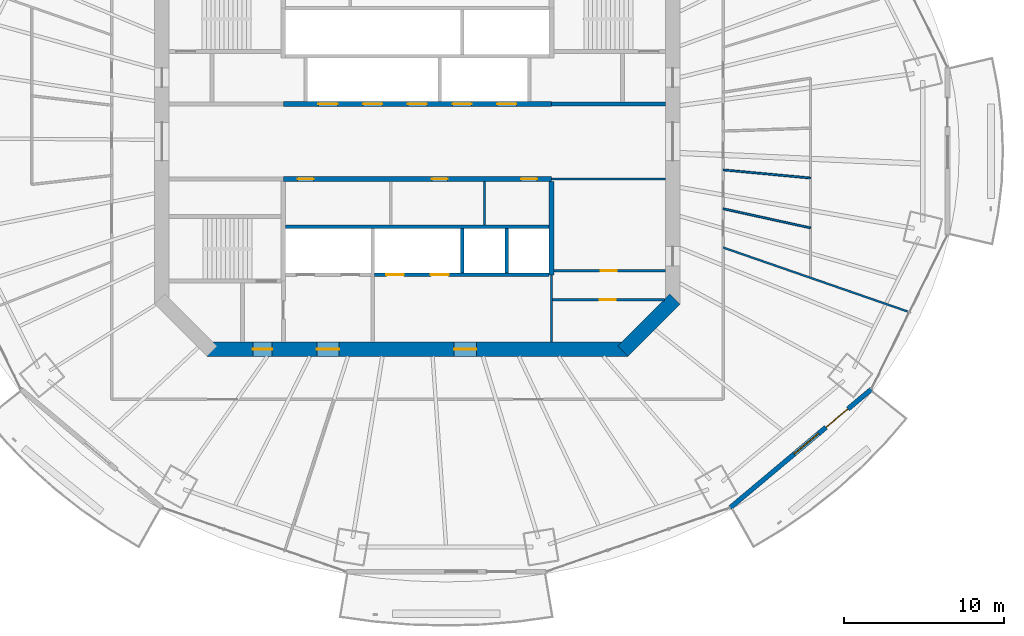
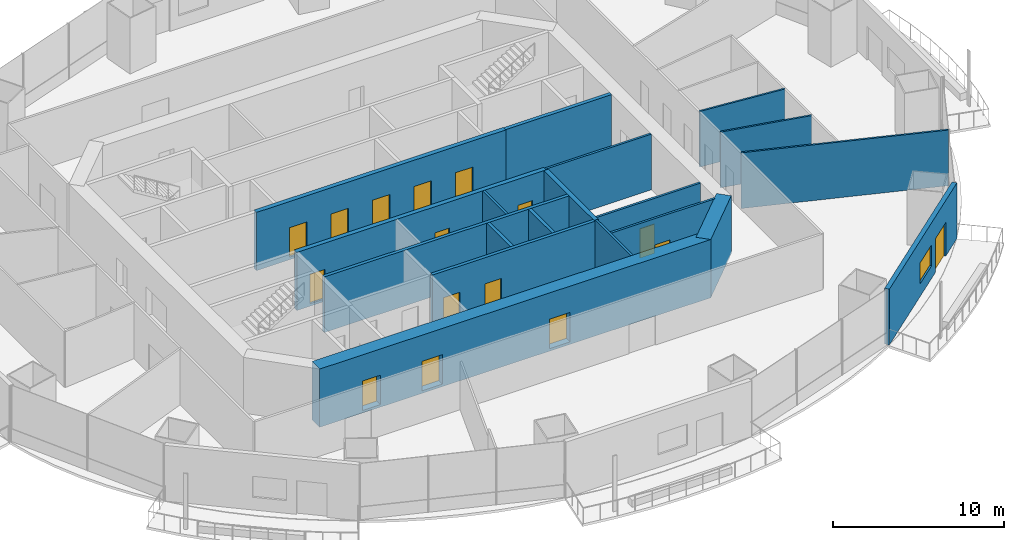
# One storey, part 12 of 20: 19 walls, 16 doors, 1 window, 17 openings.
"""IFC4 building model written with IfcOpenShell, lengths in metres."""

from ifc_helpers import new_model, si_unit, direction, frame, frame_2d, origin, place, context, subcontext, project, spatial, rectangle, extrude, material, layer, layer_set, type_object, element, fill, save


model = new_model("IFC4")

# Units and contexts
model_context = context("Model", 3, precision=1e-05, world=origin(), true_north=direction((0.0, 1.0)))
body_context = subcontext(model_context, "Body", "Model", "MODEL_VIEW")
ifc_project = project(units=[si_unit("LENGTHUNIT", "METRE"), si_unit("AREAUNIT", "SQUARE_METRE"), si_unit("VOLUMEUNIT", "CUBIC_METRE"), si_unit("PLANEANGLEUNIT", "RADIAN"), si_unit("MASSUNIT", "GRAM", prefix="KILO")], contexts=[model_context])

# Site, building, storey
site_placement = place(None, origin())
site = spatial("IfcSite", under=ifc_project, at=site_placement, CompositionType="ELEMENT")
building_placement = place(site_placement, origin())
building = spatial("IfcBuilding", under=site, at=building_placement, Name="Marenthal Gate Tower", CompositionType="ELEMENT")
storey_placement = place(building_placement, frame((0.0, 0.0, 194.25)))
storey = spatial("IfcBuildingStorey", under=building, at=storey_placement, Name="L42", CompositionType="ELEMENT", Elevation=194.25)

# Wall
ifc_material_1 = material(Name="Concrete 60 MPa", Category="concrete")
ifc_layer_1 = layer(ifc_material_1, 0.89990234375)
ifc_layer_set_1 = layer_set([ifc_layer_1], Name="Core shear wall 900")
wall_type_1 = type_object("IfcWallType", Name="Core shear wall 900", PredefinedType="SHEAR", material=ifc_layer_set_1)
wall_1_placement = place(storey_placement, frame((12.8681640625, -13.1318359375, -0.179931640625), z_axis=(0.0, 0.0, 1.0), x_axis=(0.707106781187, 0.707106781187, 0.0)))
element("IfcWall", 1, at=wall_1_placement, inside=storey, type_object=wall_type_1, Name="Core wall 01", PredefinedType="SHEAR", context=body_context, shape_type="SweptSolid", body=[
    extrude(rectangle(XDim=4.615478515625, YDim=0.89990234375, at=frame_2d((2.3076171875, 0.0))), origin(), (0.0, 0.0, 1.0), 4.14990234375),
])

# Wall, openings, doors
wall_2_placement = place(storey_placement, frame((-13.186279296875, -13.0, -0.179931640625), z_axis=(0.0, 0.0, 1.0), x_axis=(1.0, 0.0, 0.0)))
wall_2 = element("IfcWall", 2, at=wall_2_placement, inside=storey, type_object=wall_type_1, Name="Core wall 08", PredefinedType="SHEAR", context=body_context, shape_type="SweptSolid", body=[
    extrude(rectangle(XDim=26.37255859375, YDim=0.89990234375, at=frame_2d((13.186279296875, 0.0))), origin(), (0.0, 0.0, 1.0), 4.14990234375),
])
opening_1_placement = place(wall_2_placement, frame((2.886474609375, 0.0, 0.179931640625)))
opening_1 = element("IfcOpeningElement", 3, at=opening_1_placement, cuts=wall_2, Name="Opening D001.06", PredefinedType="OPENING", context=body_context, shape_type="SweptSolid", body=[
    extrude(rectangle(XDim=1.199951171875, YDim=2.10009765625, at=frame_2d((0.60009765625, 1.050048828125))), frame((0.0, 0.4599609375, 0.0), z_axis=(0.0, -1.0, 0.0), x_axis=(1.0, 0.0, 0.0)), (0.0, 0.0, 1.0), 0.919921875),
])
opening_2_placement = place(wall_2_placement, frame((6.886474609375, 0.0, 0.179931640625)))
opening_2 = element("IfcOpeningElement", 4, at=opening_2_placement, cuts=wall_2, Name="Opening D004.01", PredefinedType="OPENING", context=body_context, shape_type="SweptSolid", body=[
    extrude(rectangle(XDim=1.39990234375, YDim=2.10009765625, at=frame_2d((0.699951171875, 1.050048828125))), frame((0.0, 0.4599609375, 0.0), z_axis=(0.0, -1.0, 0.0), x_axis=(1.0, 0.0, 0.0)), (0.0, 0.0, 1.0), 0.919921875),
])
opening_3_placement = place(wall_2_placement, frame((15.486328125, 0.0, 0.179931640625)))
opening_3 = element("IfcOpeningElement", 5, at=opening_3_placement, cuts=wall_2, Name="Opening D004.02", PredefinedType="OPENING", context=body_context, shape_type="SweptSolid", body=[
    extrude(rectangle(XDim=1.39990234375, YDim=2.10009765625, at=frame_2d((0.699951171875, 1.050048828125))), frame((0.0, 0.4599609375, 0.0), z_axis=(0.0, -1.0, 0.0), x_axis=(1.0, 0.0, 0.0)), (0.0, 0.0, 1.0), 0.919921875),
])
ifc_material_2 = material(Name="Steel fire door", Category="steel")
door_type_1 = type_object("IfcDoorType", Name="Fire door FD 45 1400 x 2100", OperationType="NOTDEFINED", PredefinedType="DOOR", material=ifc_material_2)
door_1_placement = place(opening_2_placement, origin())
door_1 = element("IfcDoor", 6, at=door_1_placement, inside=storey, type_object=door_type_1, Name="Door D004.01", OperationType="SINGLE_SWING_RIGHT", OverallHeight=2.10009765625, OverallWidth=1.39990234375, PredefinedType="DOOR", context=body_context, shape_type="SweptSolid", body=[
    extrude(rectangle(XDim=1.39990234375, YDim=2.10009765625, at=frame_2d((0.699951171875, 1.050048828125))), frame((0.0, 0.02490234375, 0.0), z_axis=(0.0, -1.0, 0.0), x_axis=(1.0, 0.0, 0.0)), (0.0, 0.0, 1.0), 0.050048828125),
])
fill(opening_2, door_1)
door_2_placement = place(opening_3_placement, origin())
door_2 = element("IfcDoor", 7, at=door_2_placement, inside=storey, type_object=door_type_1, Name="Door D004.02", OperationType="SINGLE_SWING_RIGHT", OverallHeight=2.10009765625, OverallWidth=1.39990234375, PredefinedType="DOOR", context=body_context, shape_type="SweptSolid", body=[
    extrude(rectangle(XDim=1.39990234375, YDim=2.10009765625, at=frame_2d((0.699951171875, 1.050048828125))), frame((0.0, 0.02490234375, 0.0), z_axis=(0.0, -1.0, 0.0), x_axis=(1.0, 0.0, 0.0)), (0.0, 0.0, 1.0), 0.050048828125),
])
fill(opening_3, door_2)
ifc_material_3 = material(Name="Steel fire door", Category="steel")
door_type_2 = type_object("IfcDoorType", Name="Fire door FD 90 1200 x 2100", OperationType="NOTDEFINED", PredefinedType="DOOR", material=ifc_material_3)
door_3_placement = place(opening_1_placement, origin())
door_3 = element("IfcDoor", 8, at=door_3_placement, inside=storey, type_object=door_type_2, Name="Door D001.06", OperationType="SINGLE_SWING_RIGHT", OverallHeight=2.10009765625, OverallWidth=1.199951171875, PredefinedType="DOOR", context=body_context, shape_type="SweptSolid", body=[
    extrude(rectangle(XDim=1.199951171875, YDim=2.10009765625, at=frame_2d((0.60009765625, 1.050048828125))), frame((0.0, 0.02490234375, 0.0), z_axis=(0.0, -1.0, 0.0), x_axis=(1.0, 0.0, 0.0)), (0.0, 0.0, 1.0), 0.050048828125),
])
fill(opening_1, door_3)

ifc_material_4 = material(Name="Concrete 50 MPa", Category="concrete")
ifc_layer_2 = layer(ifc_material_4, 0.300048828125)
ifc_layer_set_2 = layer_set([ifc_layer_2], Name="Hoistway shear wall 300")
wall_type_2 = type_object("IfcWallType", Name="Hoistway shear wall 300", PredefinedType="SHEAR", material=ifc_layer_set_2)
wall_3_placement = place(storey_placement, frame((-8.39990234375, -2.35009765625, -0.179931640625), z_axis=(0.0, 0.0, 1.0), x_axis=(1.0, 0.0, 0.0)))
wall_3 = element("IfcWall", 9, at=wall_3_placement, inside=storey, type_object=wall_type_2, Name="Hoistway wall 17", PredefinedType="SHEAR", context=body_context, shape_type="SweptSolid", body=[
    extrude(rectangle(XDim=16.7998046875, YDim=0.300048828125, at=frame_2d((8.39990234375, 0.0))), origin(), (0.0, 0.0, 1.0), 4.14990234375),
])
opening_4_placement = place(wall_3_placement, frame((0.89990234375, 0.0, 0.179931640625)))
opening_4 = element("IfcOpeningElement", 10, at=opening_4_placement, cuts=wall_3, Name="Opening D005.01", PredefinedType="OPENING", context=body_context, shape_type="SweptSolid", body=[
    extrude(rectangle(XDim=1.0, YDim=2.10009765625, at=frame_2d((0.5, 1.050048828125))), frame((0.0, 0.16015625, 0.0), z_axis=(0.0, -1.0, 0.0), x_axis=(1.0, 0.0, 0.0)), (0.0, 0.0, 1.0), 0.320068359375),
])
opening_5_placement = place(wall_3_placement, frame((9.300048828125, 0.0, 0.179931640625)))
opening_5 = element("IfcOpeningElement", 11, at=opening_5_placement, cuts=wall_3, Name="Opening D005.02", PredefinedType="OPENING", context=body_context, shape_type="SweptSolid", body=[
    extrude(rectangle(XDim=1.0, YDim=2.10009765625, at=frame_2d((0.5, 1.050048828125))), frame((0.0, 0.16015625, 0.0), z_axis=(0.0, -1.0, 0.0), x_axis=(1.0, 0.0, 0.0)), (0.0, 0.0, 1.0), 0.320068359375),
])
opening_6_placement = place(wall_3_placement, frame((14.89990234375, 0.0, 0.179931640625)))
opening_6 = element("IfcOpeningElement", 12, at=opening_6_placement, cuts=wall_3, Name="Opening D005.03", PredefinedType="OPENING", context=body_context, shape_type="SweptSolid", body=[
    extrude(rectangle(XDim=1.0, YDim=2.10009765625, at=frame_2d((0.5, 1.050048828125))), frame((0.0, 0.16015625, 0.0), z_axis=(0.0, -1.0, 0.0), x_axis=(1.0, 0.0, 0.0)), (0.0, 0.0, 1.0), 0.320068359375),
])
ifc_material_5 = material(Name="Steel fire door", Category="steel")
door_type_3 = type_object("IfcDoorType", Name="Fire door FD 45 1000 x 2100", OperationType="NOTDEFINED", PredefinedType="DOOR", material=ifc_material_5)
door_4_placement = place(opening_4_placement, frame((1.0, 0.0, 0.0), z_axis=(0.0, 0.0, 1.0), x_axis=(-1.0, 0.0, 0.0)))
door_4 = element("IfcDoor", 13, at=door_4_placement, inside=storey, type_object=door_type_3, Name="Door D005.01", OperationType="SINGLE_SWING_LEFT", OverallHeight=2.10009765625, OverallWidth=1.0, PredefinedType="DOOR", context=body_context, shape_type="SweptSolid", body=[
    extrude(rectangle(XDim=1.0, YDim=2.10009765625, at=frame_2d((0.5, 1.050048828125))), frame((0.0, 0.02490234375, 0.0), z_axis=(0.0, -1.0, 0.0), x_axis=(1.0, 0.0, 0.0)), (0.0, 0.0, 1.0), 0.050048828125),
])
fill(opening_4, door_4)
door_5_placement = place(opening_5_placement, frame((1.0, 0.0, 0.0), z_axis=(0.0, 0.0, 1.0), x_axis=(-1.0, 0.0, 0.0)))
door_5 = element("IfcDoor", 14, at=door_5_placement, inside=storey, type_object=door_type_3, Name="Door D005.02", OperationType="SINGLE_SWING_LEFT", OverallHeight=2.10009765625, OverallWidth=1.0, PredefinedType="DOOR", context=body_context, shape_type="SweptSolid", body=[
    extrude(rectangle(XDim=1.0, YDim=2.10009765625, at=frame_2d((0.5, 1.050048828125))), frame((0.0, 0.02490234375, 0.0), z_axis=(0.0, -1.0, 0.0), x_axis=(1.0, 0.0, 0.0)), (0.0, 0.0, 1.0), 0.050048828125),
])
fill(opening_5, door_5)
door_6_placement = place(opening_6_placement, frame((1.0, 0.0, 0.0), z_axis=(0.0, 0.0, 1.0), x_axis=(-1.0, 0.0, 0.0)))
door_6 = element("IfcDoor", 15, at=door_6_placement, inside=storey, type_object=door_type_3, Name="Door D005.03", OperationType="SINGLE_SWING_LEFT", OverallHeight=2.10009765625, OverallWidth=1.0, PredefinedType="DOOR", context=body_context, shape_type="SweptSolid", body=[
    extrude(rectangle(XDim=1.0, YDim=2.10009765625, at=frame_2d((0.5, 1.050048828125))), frame((0.0, 0.02490234375, 0.0), z_axis=(0.0, -1.0, 0.0), x_axis=(1.0, 0.0, 0.0)), (0.0, 0.0, 1.0), 0.050048828125),
])
fill(opening_6, door_6)

wall_4_placement = place(storey_placement, frame((-8.39990234375, 2.35009765625, -0.179931640625), z_axis=(0.0, 0.0, 1.0), x_axis=(1.0, 0.0, 0.0)))
wall_4 = element("IfcWall", 16, at=wall_4_placement, inside=storey, type_object=wall_type_2, Name="Hoistway wall 20", PredefinedType="SHEAR", context=body_context, shape_type="SweptSolid", body=[
    extrude(rectangle(XDim=16.7998046875, YDim=0.300048828125, at=frame_2d((8.39990234375, 0.0))), origin(), (0.0, 0.0, 1.0), 4.14990234375),
])
opening_7_placement = place(wall_4_placement, frame((2.199951171875, 0.0, 0.179931640625)))
opening_7 = element("IfcOpeningElement", 17, at=opening_7_placement, cuts=wall_4, Name="Opening LD-MP1", PredefinedType="OPENING", context=body_context, shape_type="SweptSolid", body=[
    extrude(rectangle(XDim=1.199951171875, YDim=2.10009765625, at=frame_2d((0.60009765625, 1.050048828125))), frame((0.0, 0.16015625, 0.0), z_axis=(0.0, -1.0, 0.0), x_axis=(1.0, 0.0, 0.0)), (0.0, 0.0, 1.0), 0.320068359375),
])
opening_8_placement = place(wall_4_placement, frame((5.0, 0.0, 0.179931640625)))
opening_8 = element("IfcOpeningElement", 18, at=opening_8_placement, cuts=wall_4, Name="Opening LD-MP2", PredefinedType="OPENING", context=body_context, shape_type="SweptSolid", body=[
    extrude(rectangle(XDim=1.199951171875, YDim=2.10009765625, at=frame_2d((0.60009765625, 1.050048828125))), frame((0.0, 0.16015625, 0.0), z_axis=(0.0, -1.0, 0.0), x_axis=(1.0, 0.0, 0.0)), (0.0, 0.0, 1.0), 0.320068359375),
])
opening_9_placement = place(wall_4_placement, frame((7.800048828125, 0.0, 0.179931640625)))
opening_9 = element("IfcOpeningElement", 19, at=opening_9_placement, cuts=wall_4, Name="Opening LD-MP3", PredefinedType="OPENING", context=body_context, shape_type="SweptSolid", body=[
    extrude(rectangle(XDim=1.199951171875, YDim=2.10009765625, at=frame_2d((0.60009765625, 1.050048828125))), frame((0.0, 0.16015625, 0.0), z_axis=(0.0, -1.0, 0.0), x_axis=(1.0, 0.0, 0.0)), (0.0, 0.0, 1.0), 0.320068359375),
])
opening_10_placement = place(wall_4_placement, frame((10.60009765625, 0.0, 0.179931640625)))
opening_10 = element("IfcOpeningElement", 20, at=opening_10_placement, cuts=wall_4, Name="Opening LD-MP4", PredefinedType="OPENING", context=body_context, shape_type="SweptSolid", body=[
    extrude(rectangle(XDim=1.199951171875, YDim=2.10009765625, at=frame_2d((0.60009765625, 1.050048828125))), frame((0.0, 0.16015625, 0.0), z_axis=(0.0, -1.0, 0.0), x_axis=(1.0, 0.0, 0.0)), (0.0, 0.0, 1.0), 0.320068359375),
])
opening_11_placement = place(wall_4_placement, frame((13.39990234375, 0.0, 0.179931640625)))
opening_11 = element("IfcOpeningElement", 21, at=opening_11_placement, cuts=wall_4, Name="Opening LD-MP5", PredefinedType="OPENING", context=body_context, shape_type="SweptSolid", body=[
    extrude(rectangle(XDim=1.199951171875, YDim=2.10009765625, at=frame_2d((0.60009765625, 1.050048828125))), frame((0.0, 0.16015625, 0.0), z_axis=(0.0, -1.0, 0.0), x_axis=(1.0, 0.0, 0.0)), (0.0, 0.0, 1.0), 0.320068359375),
])
ifc_material_6 = material(Name="Stainless steel sliding door", Category="steel")
door_type_4 = type_object("IfcDoorType", Name="Lift landing door FD 90 1200 x 2100", OperationType="DOUBLE_DOOR_SLIDING", PredefinedType="DOOR", material=ifc_material_6)
door_7_placement = place(opening_7_placement, origin())
door_7 = element("IfcDoor", 22, at=door_7_placement, inside=storey, type_object=door_type_4, Name="Lift landing door MP1", OperationType="DOUBLE_DOOR_SLIDING", OverallHeight=2.10009765625, OverallWidth=1.199951171875, PredefinedType="DOOR", context=body_context, shape_type="SweptSolid", body=[
    extrude(rectangle(XDim=1.199951171875, YDim=2.10009765625, at=frame_2d((0.60009765625, 1.050048828125))), frame((0.0, 0.02490234375, 0.0), z_axis=(0.0, -1.0, 0.0), x_axis=(1.0, 0.0, 0.0)), (0.0, 0.0, 1.0), 0.050048828125),
])
fill(opening_7, door_7)
door_8_placement = place(opening_8_placement, origin())
door_8 = element("IfcDoor", 23, at=door_8_placement, inside=storey, type_object=door_type_4, Name="Lift landing door MP2", OperationType="DOUBLE_DOOR_SLIDING", OverallHeight=2.10009765625, OverallWidth=1.199951171875, PredefinedType="DOOR", context=body_context, shape_type="SweptSolid", body=[
    extrude(rectangle(XDim=1.199951171875, YDim=2.10009765625, at=frame_2d((0.60009765625, 1.050048828125))), frame((0.0, 0.02490234375, 0.0), z_axis=(0.0, -1.0, 0.0), x_axis=(1.0, 0.0, 0.0)), (0.0, 0.0, 1.0), 0.050048828125),
])
fill(opening_8, door_8)
door_9_placement = place(opening_9_placement, origin())
door_9 = element("IfcDoor", 24, at=door_9_placement, inside=storey, type_object=door_type_4, Name="Lift landing door MP3", OperationType="DOUBLE_DOOR_SLIDING", OverallHeight=2.10009765625, OverallWidth=1.199951171875, PredefinedType="DOOR", context=body_context, shape_type="SweptSolid", body=[
    extrude(rectangle(XDim=1.199951171875, YDim=2.10009765625, at=frame_2d((0.60009765625, 1.050048828125))), frame((0.0, 0.02490234375, 0.0), z_axis=(0.0, -1.0, 0.0), x_axis=(1.0, 0.0, 0.0)), (0.0, 0.0, 1.0), 0.050048828125),
])
fill(opening_9, door_9)
door_10_placement = place(opening_10_placement, origin())
door_10 = element("IfcDoor", 25, at=door_10_placement, inside=storey, type_object=door_type_4, Name="Lift landing door MP4", OperationType="DOUBLE_DOOR_SLIDING", OverallHeight=2.10009765625, OverallWidth=1.199951171875, PredefinedType="DOOR", context=body_context, shape_type="SweptSolid", body=[
    extrude(rectangle(XDim=1.199951171875, YDim=2.10009765625, at=frame_2d((0.60009765625, 1.050048828125))), frame((0.0, 0.02490234375, 0.0), z_axis=(0.0, -1.0, 0.0), x_axis=(1.0, 0.0, 0.0)), (0.0, 0.0, 1.0), 0.050048828125),
])
fill(opening_10, door_10)
door_11_placement = place(opening_11_placement, origin())
door_11 = element("IfcDoor", 26, at=door_11_placement, inside=storey, type_object=door_type_4, Name="Lift landing door MP5", OperationType="DOUBLE_DOOR_SLIDING", OverallHeight=2.10009765625, OverallWidth=1.199951171875, PredefinedType="DOOR", context=body_context, shape_type="SweptSolid", body=[
    extrude(rectangle(XDim=1.199951171875, YDim=2.10009765625, at=frame_2d((0.60009765625, 1.050048828125))), frame((0.0, 0.02490234375, 0.0), z_axis=(0.0, -1.0, 0.0), x_axis=(1.0, 0.0, 0.0)), (0.0, 0.0, 1.0), 0.050048828125),
])
fill(opening_11, door_11)

# Wall
wall_5_placement = place(storey_placement, frame((8.39990234375, -8.35009765625, -0.179931640625), z_axis=(0.0, 0.0, 1.0), x_axis=(0.0, 1.0, 0.0)))
element("IfcWall", 27, at=wall_5_placement, inside=storey, type_object=wall_type_2, Name="Hoistway wall 46", PredefinedType="SHEAR", context=body_context, shape_type="SweptSolid", body=[
    extrude(rectangle(XDim=5.85009765625, YDim=0.300048828125, at=frame_2d((2.925048828125, 0.0))), origin(), (0.0, 0.0, 1.0), 4.14990234375),
])

# Wall, openings, doors
ifc_material_7 = material(Name="Concrete 40 MPa", Category="concrete")
ifc_layer_3 = layer(ifc_material_7, 0.219970703125)
ifc_layer_set_3 = layer_set([ifc_layer_3], Name="Hoistway wall 220")
wall_type_3 = type_object("IfcWallType", Name="Hoistway wall 220", PredefinedType="STANDARD", material=ifc_layer_set_3)
wall_6_placement = place(storey_placement, frame((-2.68994140625, -8.35009765625, 0.0), z_axis=(0.0, 0.0, 1.0), x_axis=(1.0, 0.0, 0.0)))
wall_6 = element("IfcWall", 28, at=wall_6_placement, inside=storey, type_object=wall_type_3, Name="Hoistway wall 12", PredefinedType="STANDARD", context=body_context, shape_type="SweptSolid", body=[
    extrude(rectangle(XDim=10.93994140625, YDim=0.219970703125, at=frame_2d((5.469970703125, 0.0))), origin(), (0.0, 0.0, 1.0), 3.969970703125),
])
opening_12_placement = place(wall_6_placement, frame((0.739990234375, 0.0, 0.0)))
opening_12 = element("IfcOpeningElement", 29, at=opening_12_placement, cuts=wall_6, Name="Opening LD-SV1", PredefinedType="OPENING", context=body_context, shape_type="SweptSolid", body=[
    extrude(rectangle(XDim=1.10009765625, YDim=2.10009765625, at=frame_2d((0.550048828125, 1.050048828125))), frame((0.0, 0.1201171875, 0.0), z_axis=(0.0, -1.0, 0.0), x_axis=(1.0, 0.0, 0.0)), (0.0, 0.0, 1.0), 0.239990234375),
])
opening_13_placement = place(wall_6_placement, frame((3.5400390625, 0.0, 0.0)))
opening_13 = element("IfcOpeningElement", 30, at=opening_13_placement, cuts=wall_6, Name="Opening LD-SV2", PredefinedType="OPENING", context=body_context, shape_type="SweptSolid", body=[
    extrude(rectangle(XDim=1.10009765625, YDim=2.10009765625, at=frame_2d((0.550048828125, 1.050048828125))), frame((0.0, 0.1201171875, 0.0), z_axis=(0.0, -1.0, 0.0), x_axis=(1.0, 0.0, 0.0)), (0.0, 0.0, 1.0), 0.239990234375),
])
ifc_material_8 = material(Name="Stainless steel sliding door", Category="steel")
door_type_5 = type_object("IfcDoorType", Name="Lift landing door FD 90 1100 x 2100", OperationType="DOUBLE_DOOR_SLIDING", PredefinedType="DOOR", material=ifc_material_8)
door_12_placement = place(opening_12_placement, origin())
door_12 = element("IfcDoor", 31, at=door_12_placement, inside=storey, type_object=door_type_5, Name="Lift landing door SV1", OperationType="DOUBLE_DOOR_SLIDING", OverallHeight=2.10009765625, OverallWidth=1.10009765625, PredefinedType="DOOR", context=body_context, shape_type="SweptSolid", body=[
    extrude(rectangle(XDim=1.10009765625, YDim=2.10009765625, at=frame_2d((0.550048828125, 1.050048828125))), frame((0.0, 0.02490234375, 0.0), z_axis=(0.0, -1.0, 0.0), x_axis=(1.0, 0.0, 0.0)), (0.0, 0.0, 1.0), 0.050048828125),
])
fill(opening_12, door_12)
door_13_placement = place(opening_13_placement, origin())
door_13 = element("IfcDoor", 32, at=door_13_placement, inside=storey, type_object=door_type_5, Name="Lift landing door SV2", OperationType="DOUBLE_DOOR_SLIDING", OverallHeight=2.10009765625, OverallWidth=1.10009765625, PredefinedType="DOOR", context=body_context, shape_type="SweptSolid", body=[
    extrude(rectangle(XDim=1.10009765625, YDim=2.10009765625, at=frame_2d((0.550048828125, 1.050048828125))), frame((0.0, 0.02490234375, 0.0), z_axis=(0.0, -1.0, 0.0), x_axis=(1.0, 0.0, 0.0)), (0.0, 0.0, 1.0), 0.050048828125),
])
fill(opening_13, door_13)

# Walls
wall_7_placement = place(storey_placement, frame((-8.25, -5.35009765625, 0.0), z_axis=(0.0, 0.0, 1.0), x_axis=(1.0, 0.0, 0.0)))
element("IfcWall", 33, at=wall_7_placement, inside=storey, type_object=wall_type_3, Name="Hoistway wall 14", PredefinedType="STANDARD", context=body_context, shape_type="SweptSolid", body=[
    extrude(rectangle(XDim=16.5, YDim=0.219970703125, at=frame_2d((8.25, 0.0))), origin(), (0.0, 0.0, 1.0), 3.969970703125),
])
for number, where, z_axis, x_axis, name in (
    (34, (2.800048828125, -8.239990234375, 0.0), (0.0, 0.0, 1.0), (0.0, 1.0, 0.0), "Hoistway wall 40"),
    (35, (5.60009765625, -8.239990234375, 0.0), (0.0, 0.0, 1.0), (0.0, 1.0, 0.0), "Hoistway wall 43"),
):
    element("IfcWall", number, at=place(storey_placement, frame(where, z_axis=z_axis, x_axis=x_axis)), inside=storey, type_object=wall_type_3, Name=name, PredefinedType="STANDARD", context=body_context, shape_type="SweptSolid", body=[
        extrude(rectangle(XDim=2.780029296875, YDim=0.219970703125, at=frame_2d((1.39013671875, 0.0))), origin(), (0.0, 0.0, 1.0), 3.969970703125),
    ])
ifc_material_9 = material(Name="Gypsum board on steel studs", Category="steel")
ifc_layer_4 = layer(ifc_material_9, 0.1201171875)
ifc_layer_set_4 = layer_set([ifc_layer_4], Name="Partition 120")
wall_type_4 = type_object("IfcWallType", Name="Partition 120", PredefinedType="PARTITIONING", material=ifc_layer_set_4)
wall_8_placement = place(storey_placement, frame((19.14990234375, -6.639404296875, 0.0), z_axis=(0.0, 0.0, 1.0), x_axis=(0.944824605936, -0.327576653652, 0.0)))
element("IfcWall", 36, at=wall_8_placement, inside=storey, type_object=wall_type_4, Name="Partition wall 63", PredefinedType="PARTITIONING", context=body_context, shape_type="SweptSolid", body=[
    extrude(rectangle(XDim=12.340576171875, YDim=0.1201171875, at=frame_2d((6.17041015625, 0.0))), origin(), (0.0, 0.0, 1.0), 3.969970703125),
])
wall_9_placement = place(storey_placement, frame((24.61865234375, -5.41064453125, 0.0), z_axis=(0.0, 0.0, 1.0), x_axis=(-0.976690192817, 0.214653831216, 0.0)))
element("IfcWall", 37, at=wall_9_placement, inside=storey, type_object=wall_type_4, Name="Partition wall 67", PredefinedType="PARTITIONING", context=body_context, shape_type="SweptSolid", body=[
    extrude(rectangle(XDim=5.599365234375, YDim=0.1201171875, at=frame_2d((2.7998046875, 0.0))), origin(), (0.0, 0.0, 1.0), 3.969970703125),
])
wall_10_placement = place(storey_placement, frame((24.61865234375, -2.285888671875, 0.0), z_axis=(0.0, 0.0, 1.0), x_axis=(-0.995720548073, 0.092415313368, 0.0)))
element("IfcWall", 38, at=wall_10_placement, inside=storey, type_object=wall_type_4, Name="Partition wall 68", PredefinedType="PARTITIONING", context=body_context, shape_type="SweptSolid", body=[
    extrude(rectangle(XDim=5.4921875, YDim=0.1201171875, at=frame_2d((2.74609375, 0.0))), origin(), (0.0, 0.0, 1.0), 3.969970703125),
])

# Wall, opening, door
ifc_material_10 = material(Name="Gypsum board on steel studs", Category="steel")
ifc_layer_5 = layer(ifc_material_10, 0.14990234375)
ifc_layer_set_5 = layer_set([ifc_layer_5], Name="Partition 150")
wall_type_5 = type_object("IfcWallType", Name="Partition 150", PredefinedType="PARTITIONING", material=ifc_layer_set_5)
wall_11_placement = place(storey_placement, frame((8.47509765625, -9.89990234375, 0.0), z_axis=(0.0, 0.0, 1.0), x_axis=(1.0, 0.0, 0.0)))
wall_11 = element("IfcWall", 39, at=wall_11_placement, inside=storey, type_object=wall_type_5, Name="Partition wall 09", PredefinedType="PARTITIONING", context=body_context, shape_type="SweptSolid", body=[
    extrude(rectangle(XDim=6.988525390625, YDim=0.14990234375, at=frame_2d((3.494140625, 0.0))), origin(), (0.0, 0.0, 1.0), 3.969970703125),
])
opening_14_placement = place(wall_11_placement, frame((2.956787109375, 0.0, 0.0)))
opening_14 = element("IfcOpeningElement", 40, at=opening_14_placement, cuts=wall_11, Name="Opening D005.07", PredefinedType="OPENING", context=body_context, shape_type="SweptSolid", body=[
    extrude(rectangle(XDim=1.0, YDim=2.10009765625, at=frame_2d((0.5, 1.050048828125))), frame((0.0, 0.0849609375, 0.0), z_axis=(0.0, -1.0, 0.0), x_axis=(1.0, 0.0, 0.0)), (0.0, 0.0, 1.0), 0.169921875),
])
door_14_placement = place(opening_14_placement, frame((1.0, 0.0, 0.0), z_axis=(0.0, 0.0, 1.0), x_axis=(-1.0, 0.0, 0.0)))
door_14 = element("IfcDoor", 41, at=door_14_placement, inside=storey, type_object=door_type_3, Name="Door D005.07", OperationType="SINGLE_SWING_LEFT", OverallHeight=2.10009765625, OverallWidth=1.0, PredefinedType="DOOR", context=body_context, shape_type="SweptSolid", body=[
    extrude(rectangle(XDim=1.0, YDim=2.10009765625, at=frame_2d((0.5, 1.050048828125))), frame((0.0, 0.02490234375, 0.0), z_axis=(0.0, -1.0, 0.0), x_axis=(1.0, 0.0, 0.0)), (0.0, 0.0, 1.0), 0.050048828125),
])
fill(opening_14, door_14)

wall_12_placement = place(storey_placement, frame((8.550048828125, -8.10009765625, 0.0), z_axis=(0.0, 0.0, 1.0), x_axis=(1.0, 0.0, 0.0)))
wall_12 = element("IfcWall", 42, at=wall_12_placement, inside=storey, type_object=wall_type_5, Name="Partition wall 13", PredefinedType="PARTITIONING", context=body_context, shape_type="SweptSolid", body=[
    extrude(rectangle(XDim=7.0, YDim=0.14990234375, at=frame_2d((3.5, 0.0))), origin(), (0.0, 0.0, 1.0), 3.969970703125),
])
opening_15_placement = place(wall_12_placement, frame((2.925048828125, 0.0, 0.0)))
opening_15 = element("IfcOpeningElement", 43, at=opening_15_placement, cuts=wall_12, Name="Opening D005.06", PredefinedType="OPENING", context=body_context, shape_type="SweptSolid", body=[
    extrude(rectangle(XDim=1.0, YDim=2.10009765625, at=frame_2d((0.5, 1.050048828125))), frame((0.0, 0.0849609375, 0.0), z_axis=(0.0, -1.0, 0.0), x_axis=(1.0, 0.0, 0.0)), (0.0, 0.0, 1.0), 0.169921875),
])
door_15_placement = place(opening_15_placement, origin())
door_15 = element("IfcDoor", 44, at=door_15_placement, inside=storey, type_object=door_type_3, Name="Door D005.06", OperationType="SINGLE_SWING_RIGHT", OverallHeight=2.10009765625, OverallWidth=1.0, PredefinedType="DOOR", context=body_context, shape_type="SweptSolid", body=[
    extrude(rectangle(XDim=1.0, YDim=2.10009765625, at=frame_2d((0.5, 1.050048828125))), frame((0.0, 0.02490234375, 0.0), z_axis=(0.0, -1.0, 0.0), x_axis=(1.0, 0.0, 0.0)), (0.0, 0.0, 1.0), 0.050048828125),
])
fill(opening_15, door_15)

# Walls
wall_13_placement = place(storey_placement, frame((8.39990234375, -2.35009765625, 0.0), z_axis=(0.0, 0.0, 1.0), x_axis=(1.0, 0.0, 0.0)))
element("IfcWall", 45, at=wall_13_placement, inside=storey, type_object=wall_type_5, Name="Partition wall 18", PredefinedType="PARTITIONING", context=body_context, shape_type="SweptSolid", body=[
    extrude(rectangle(XDim=7.150146484375, YDim=0.14990234375, at=frame_2d((3.5751953125, 0.0))), origin(), (0.0, 0.0, 1.0), 3.969970703125),
])
wall_14_placement = place(storey_placement, frame((4.199951171875, -5.239990234375, 0.0), z_axis=(0.0, 0.0, 1.0), x_axis=(0.0, 1.0, 0.0)))
element("IfcWall", 46, at=wall_14_placement, inside=storey, type_object=wall_type_5, Name="Partition wall 42", PredefinedType="PARTITIONING", context=body_context, shape_type="SweptSolid", body=[
    extrude(rectangle(XDim=2.739990234375, YDim=0.14990234375, at=frame_2d((1.3701171875, 0.0))), origin(), (0.0, 0.0, 1.0), 3.969970703125),
])
wall_15_placement = place(storey_placement, frame((8.39990234375, -12.550048828125, 0.0), z_axis=(0.0, 0.0, 1.0), x_axis=(0.0, 1.0, 0.0)))
element("IfcWall", 47, at=wall_15_placement, inside=storey, type_object=wall_type_5, Name="Partition wall 45", PredefinedType="PARTITIONING", context=body_context, shape_type="SweptSolid", body=[
    extrude(rectangle(XDim=4.199951171875, YDim=0.14990234375, at=frame_2d((2.10009765625, 0.0))), origin(), (0.0, 0.0, 1.0), 3.969970703125),
])
ifc_material_11 = material(Name="Concrete 40 MPa", Category="concrete")
ifc_layer_6 = layer(ifc_material_11, 0.25)
ifc_layer_set_6 = layer_set([ifc_layer_6], Name="Stair enclosure wall 250")
wall_type_6 = type_object("IfcWallType", Name="Stair enclosure wall 250", PredefinedType="STANDARD", material=ifc_layer_set_6)
wall_16_placement = place(storey_placement, frame((8.39990234375, 2.35009765625, 0.0), z_axis=(0.0, 0.0, 1.0), x_axis=(1.0, 0.0, 0.0)))
element("IfcWall", 48, at=wall_16_placement, inside=storey, type_object=wall_type_6, Name="Stair wall 21", PredefinedType="STANDARD", context=body_context, shape_type="SweptSolid", body=[
    extrude(rectangle(XDim=7.150146484375, YDim=0.25, at=frame_2d((3.5751953125, 0.0))), origin(), (0.0, 0.0, 1.0), 3.969970703125),
])

# Wall, openings, door, window
ifc_material_12 = material(Name="Terracotta cladding on insulated concrete-block backing", Category="masonry")
ifc_layer_7 = layer(ifc_material_12, 0.300048828125)
ifc_layer_set_7 = layer_set([ifc_layer_7], Name="Terracotta facade wall 300")
wall_type_7 = type_object("IfcWallType", Name="Terracotta facade wall 300", PredefinedType="SOLIDWALL", material=ifc_layer_set_7)
wall_17_placement = place(storey_placement, frame((19.586669921875, -22.93408203125, 0.0), z_axis=(0.0, 0.0, 1.0), x_axis=(0.766073485726, 0.642752996468, 0.0)))
wall_17 = element("IfcWall", 49, at=wall_17_placement, inside=storey, type_object=wall_type_7, Name="Terracotta facade wall L42 bay 14", PredefinedType="SOLIDWALL", context=body_context, shape_type="SweptSolid", body=[
    extrude(rectangle(XDim=11.530029296875, YDim=0.300048828125, at=frame_2d((5.76513671875, 0.0))), origin(), (0.0, 0.0, 1.0), 3.969970703125),
])
opening_16_placement = place(wall_17_placement, frame((7.830078125, 0.0, 0.0)))
opening_16 = element("IfcOpeningElement", 50, at=opening_16_placement, cuts=wall_17, Name="Opening BD-L42-14", PredefinedType="OPENING", context=body_context, shape_type="SweptSolid", body=[
    extrude(rectangle(XDim=1.800048828125, YDim=2.39990234375, at=frame_2d((0.89990234375, 1.199951171875))), frame((0.0, 0.16015625, 0.0), z_axis=(0.0, -1.0, 0.0), x_axis=(1.0, 0.0, 0.0)), (0.0, 0.0, 1.0), 0.320068359375),
])
opening_17_placement = place(wall_17_placement, frame((5.22998046875, 0.0, 0.89990234375)))
opening_17 = element("IfcOpeningElement", 51, at=opening_17_placement, cuts=wall_17, Name="Opening WN2-L42-14", PredefinedType="OPENING", context=body_context, shape_type="SweptSolid", body=[
    extrude(rectangle(XDim=2.0, YDim=1.5, at=frame_2d((1.0, 0.75))), frame((0.0, 0.16015625, 0.0), z_axis=(0.0, -1.0, 0.0), x_axis=(1.0, 0.0, 0.0)), (0.0, 0.0, 1.0), 0.320068359375),
])
ifc_material_13 = material(Name="Aluminium and glass", Category="aluminium")
door_type_6 = type_object("IfcDoorType", Name="Balcony door 1800x2400", OperationType="DOUBLE_DOOR_SINGLE_SWING", PredefinedType="DOOR", material=ifc_material_13)
door_16_placement = place(opening_16_placement, origin())
door_16 = element("IfcDoor", 52, at=door_16_placement, inside=storey, type_object=door_type_6, Name="Balcony door L42 bay 14", OperationType="SINGLE_SWING_LEFT", OverallHeight=2.39990234375, OverallWidth=1.800048828125, PredefinedType="DOOR", context=body_context, shape_type="SweptSolid", body=[
    extrude(rectangle(XDim=1.800048828125, YDim=2.39990234375, at=frame_2d((0.89990234375, 1.199951171875))), frame((0.0, 0.02490234375, 0.0), z_axis=(0.0, -1.0, 0.0), x_axis=(1.0, 0.0, 0.0)), (0.0, 0.0, 1.0), 0.050048828125),
])
fill(opening_16, door_16)
ifc_material_14 = material(Name="Aluminium and glass", Category="aluminium")
window_type = type_object("IfcWindowType", Name="Window 2000x1500", PartitioningType="DOUBLE_PANEL_VERTICAL", PredefinedType="WINDOW", material=ifc_material_14)
window_placement = place(opening_17_placement, origin())
window = element("IfcWindow", 53, at=window_placement, inside=storey, type_object=window_type, Name="Window L42 bay 14", OverallHeight=1.5, OverallWidth=2.0, PartitioningType="SINGLE_PANEL", PredefinedType="WINDOW", context=body_context, shape_type="SweptSolid", body=[
    extrude(rectangle(XDim=2.0, YDim=1.5, at=frame_2d((1.0, 0.75))), frame((0.0, 0.030029296875, 0.0), z_axis=(0.0, -1.0, 0.0), x_axis=(1.0, 0.0, 0.0)), (0.0, 0.0, 1.0), 0.06005859375),
])
fill(opening_17, window)

save(model, "model.ifc")
